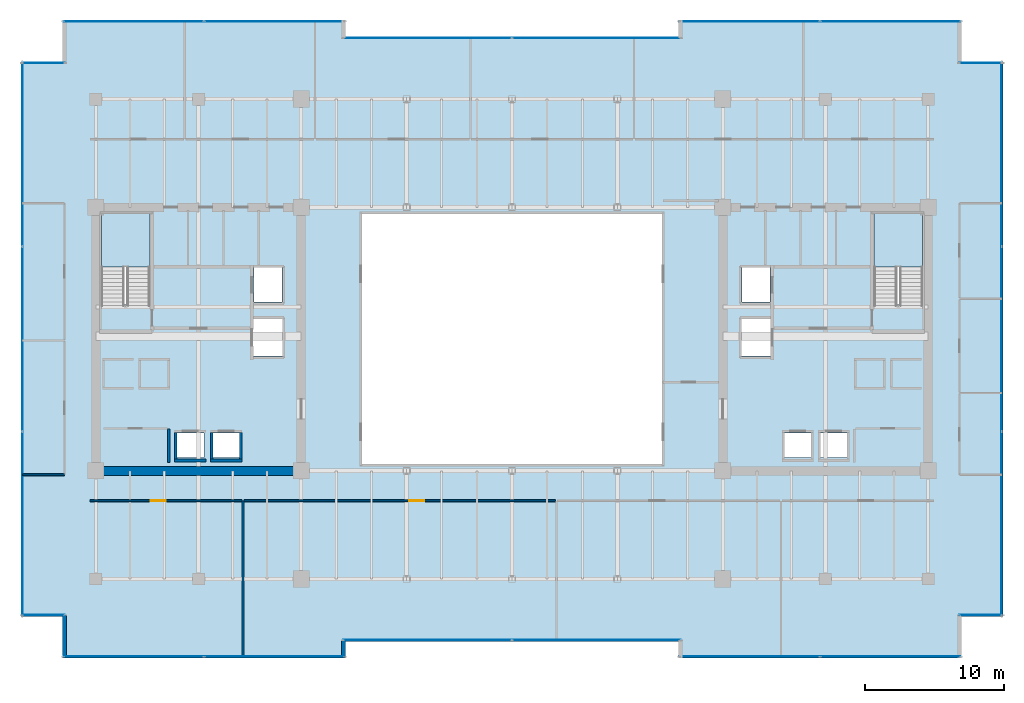
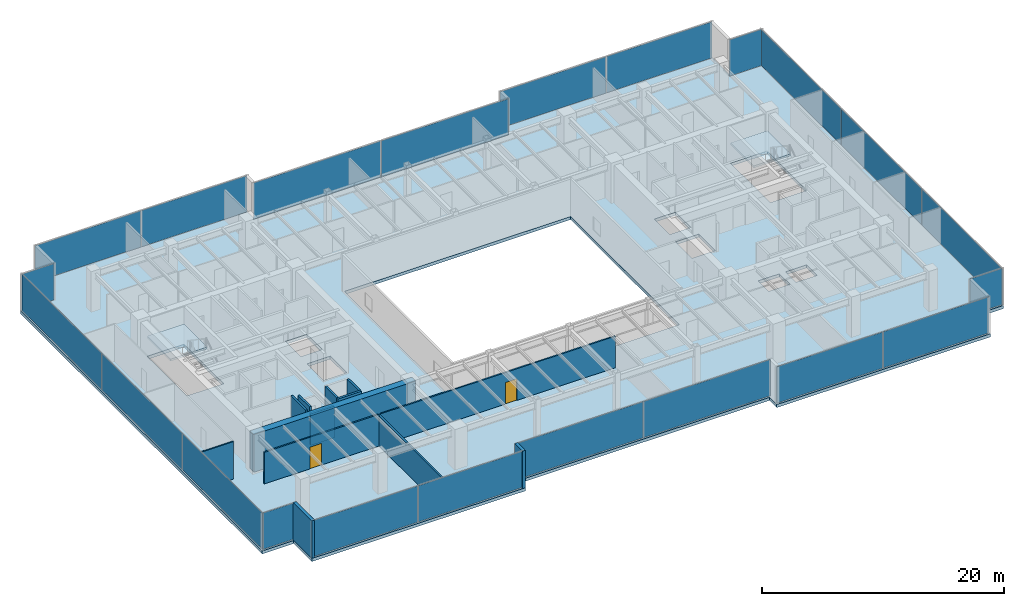
# One storey, part 24 of 30: 22 plates, 13 walls, 3 slabs, 2 doors, 2 openings, 14 elements without a shape of their own.
"""IFC4 building model written with IfcOpenShell, lengths in metres."""

from ifc_helpers import new_model, si_unit, direction, frame, frame_2d, origin, origin_2d, place, context, subcontext, project, spatial, polyline, rectangle, outline, extrude, source, transform, mapped, material, layer, layer_set, type_object, type_shapes, element, fill, aggregate, save


model = new_model("IFC4")

# Units and contexts
model_context = context("Model", 3, precision=1e-05, world=origin(), true_north=direction((0.0, 1.0)))
body_context = subcontext(model_context, "Body", "Model", "MODEL_VIEW")
ifc_project = project(units=[si_unit("LENGTHUNIT", "METRE"), si_unit("AREAUNIT", "SQUARE_METRE"), si_unit("VOLUMEUNIT", "CUBIC_METRE"), si_unit("PLANEANGLEUNIT", "RADIAN"), si_unit("MASSUNIT", "GRAM", prefix="KILO")], contexts=[model_context])

# Site, building, storey
site_placement = place(None, origin())
site = spatial("IfcSite", under=ifc_project, at=site_placement, CompositionType="ELEMENT")
building_placement = place(site_placement, origin())
building = spatial("IfcBuilding", under=site, at=building_placement, Name="Haelvirn Gate Laboratories", CompositionType="ELEMENT")
storey_placement = place(building_placement, frame((0.0, 0.0, 170.699951171875)))
storey = spatial("IfcBuildingStorey", under=building, at=storey_placement, Name="L41", CompositionType="ELEMENT", Elevation=170.699951171875)

# Stair, slab
ifc_material_1 = material(Name="Concrete C40/50", Category="concrete")
stair_type = type_object("IfcStairType", Name="ST-DOG-1650-R22", PredefinedType="HALF_TURN_STAIR", material=ifc_material_1)
stair_1_placement = place(storey_placement, origin())
stair_1 = element("IfcStair", 1, at=stair_1_placement, inside=storey, type_object=stair_type, Name="L41 Escape Stair ST1", PredefinedType="HALF_TURN_STAIR")
ifc_layer_1 = layer(ifc_material_1, 0.199951171875, Name="SL-STAIR-LND")
ifc_layer_set_1 = layer_set([ifc_layer_1], Name="Concrete C40/50")
slab_type_1 = type_object("IfcSlabType", Name="SL-STAIR-LND", PredefinedType="LANDING", material=ifc_layer_set_1)
slab_1_placement = place(storey_placement, frame((0.0, 0.0, 1.85009765625)))
slab_1 = element("IfcSlab", 2, at=slab_1_placement, type_object=slab_type_1, Name="ST1 landing 1", PredefinedType="LANDING", context=body_context, shape_type="SweptSolid", body=[
    extrude(outline(polyline([(11.300048828125, 29.5), (11.300048828125, 33.35009765625), (7.800048828125, 33.35009765625), (7.800048828125, 29.5), (11.300048828125, 29.5)])), origin(), (0.0, 0.0, 1.0), 0.199951171875),
])
aggregate(stair_1, [slab_1])

stair_2_placement = place(storey_placement, origin())
stair_2 = element("IfcStair", 3, at=stair_2_placement, inside=storey, type_object=stair_type, Name="L41 Escape Stair ST2", PredefinedType="HALF_TURN_STAIR")
slab_2_placement = place(storey_placement, frame((0.0, 0.0, 1.85009765625)))
slab_2 = element("IfcSlab", 4, at=slab_2_placement, type_object=slab_type_1, Name="ST2 landing 1", PredefinedType="LANDING", context=body_context, shape_type="SweptSolid", body=[
    extrude(outline(polyline([(67.0, 29.5), (67.0, 33.35009765625), (63.5, 33.35009765625), (63.5, 29.5), (67.0, 29.5)])), origin(), (0.0, 0.0, 1.0), 0.199951171875),
])
aggregate(stair_2, [slab_2])

# Slab
ifc_layer_2 = layer(ifc_material_1, 0.31005859375, Name="SL-Z2-310")
ifc_layer_set_2 = layer_set([ifc_layer_2], Name="Concrete C40/50")
slab_type_2 = type_object("IfcSlabType", Name="SL-Z2-310", PredefinedType="FLOOR", material=ifc_layer_set_2)
slab_3_placement = place(storey_placement, frame((0.0, 0.0, -0.31005859375)))
element("IfcSlab", 5, at=slab_3_placement, inside=storey, type_object=slab_type_2, Name="L41 Structural Slab MAIN", PredefinedType="FLOOR", context=body_context, shape_type="SweptSolid", body=[
    extrude(outline(polyline([(5.0, 1.300048828125), (25.39990234375, 1.300048828125), (25.39990234375, 2.5), (49.39990234375, 2.5), (49.39990234375, 1.300048828125), (69.800048828125, 1.300048828125), (69.800048828125, 4.300048828125), (72.800048828125, 4.300048828125), (72.800048828125, 44.300048828125), (69.800048828125, 44.300048828125), (69.800048828125, 47.300048828125), (49.39990234375, 47.300048828125), (49.39990234375, 46.10009765625), (25.39990234375, 46.10009765625), (25.39990234375, 47.300048828125), (5.0, 47.300048828125), (5.0, 44.300048828125), (2.0, 44.300048828125), (2.0, 4.300048828125), (5.0, 4.300048828125), (5.0, 1.300048828125)]), holes=[polyline([(26.60009765625, 15.300048828125), (48.199951171875, 15.300048828125), (48.199951171875, 33.300048828125), (26.60009765625, 33.300048828125), (26.60009765625, 15.300048828125)]), polyline([(11.300048828125, 26.780029296875), (11.300048828125, 33.35009765625), (7.800048828125, 33.35009765625), (7.800048828125, 26.780029296875), (11.300048828125, 26.780029296875)]), polyline([(67.0, 26.780029296875), (67.0, 33.35009765625), (63.5, 33.35009765625), (63.5, 26.780029296875), (67.0, 26.780029296875)]), polyline([(13.18994140625, 15.77001953125), (15.2099609375, 15.77001953125), (15.2099609375, 17.510009765625), (13.18994140625, 17.510009765625), (13.18994140625, 15.77001953125)]), polyline([(15.7900390625, 15.77001953125), (17.81005859375, 15.77001953125), (17.81005859375, 17.510009765625), (15.7900390625, 17.510009765625), (15.7900390625, 15.77001953125)]), polyline([(18.7900390625, 26.969970703125), (20.81005859375, 26.969970703125), (20.81005859375, 29.510009765625), (18.7900390625, 29.510009765625), (18.7900390625, 26.969970703125)]), polyline([(18.68994140625, 23.070068359375), (20.909912109375, 23.070068359375), (20.909912109375, 25.81005859375), (18.68994140625, 25.81005859375), (18.68994140625, 23.070068359375)]), polyline([(59.590087890625, 15.77001953125), (61.610107421875, 15.77001953125), (61.610107421875, 17.510009765625), (59.590087890625, 17.510009765625), (59.590087890625, 15.77001953125)]), polyline([(56.989990234375, 15.77001953125), (59.010009765625, 15.77001953125), (59.010009765625, 17.510009765625), (56.989990234375, 17.510009765625), (56.989990234375, 15.77001953125)]), polyline([(53.989990234375, 26.969970703125), (56.010009765625, 26.969970703125), (56.010009765625, 29.510009765625), (53.989990234375, 29.510009765625), (53.989990234375, 26.969970703125)]), polyline([(53.889892578125, 23.070068359375), (56.110107421875, 23.070068359375), (56.110107421875, 25.81005859375), (53.889892578125, 25.81005859375), (53.889892578125, 23.070068359375)])]), origin(), (0.0, 0.0, 1.0), 0.31005859375),
])

# Curtain wall, plates
ifc_material_2 = material(Name="Anodised bronze unitised aluminium & triple low-E glass", Category="aluminium")
ifc_layer_3 = layer(ifc_material_2, 0.179931640625, Name="CW-SYS-3")
ifc_layer_set_3 = layer_set([ifc_layer_3], Name="Anodised bronze unitised aluminium & triple low-E glass")
curtain_wall_type_1 = type_object("IfcCurtainWallType", Name="CW-SYS-3", PredefinedType="NOTDEFINED", material=ifc_layer_set_3)
curtain_wall_1_placement = place(storey_placement, origin())
curtain_wall_1 = element("IfcCurtainWall", 6, at=curtain_wall_1_placement, inside=storey, type_object=curtain_wall_type_1, Name="L41 Unitised Curtain Wall CW-L41-P0-E00-1", PredefinedType="NOTDEFINED")
ifc_material_3 = material(Name="High-selectivity bronze triple IGU 40 mm", Category="glass")
ifc_layer_4 = layer(ifc_material_3, 0.0400390625, Name="CWP-IGU-40")
ifc_layer_set_4 = layer_set([ifc_layer_4], Name="High-selectivity bronze triple IGU 40 mm")
plate_type_1 = type_object("IfcPlateType", Name="CWP-IGU-40", PredefinedType="CURTAIN_PANEL", material=ifc_layer_set_4)
shared_shape_1 = source(origin(), body_context, "Body", "SweptSolid", [
    extrude(rectangle(XDim=10.08740234375, YDim=0.0400390625, at=origin_2d()), origin(), (0.0, 0.0, 1.0), 3.659912109375),
])
plate_1_placement = place(storey_placement, frame((10.11865234375, 1.39990234375, 0.06494140625), z_axis=(0.0, 0.0, 1.0), x_axis=(1.0, 0.0, 0.0)))
plate_1 = element("IfcPlate", 7, at=plate_1_placement, type_object=plate_type_1, Name="CW3 panel 1.1", PredefinedType="CURTAIN_PANEL", context=body_context, shape_type="MappedRepresentation", body=[
    mapped(shared_shape_1, transform((0.0, 0.0, 0.0), scale=1.0)),
])
plate_2_placement = place(storey_placement, frame((20.28125, 1.39990234375, 0.06494140625), z_axis=(0.0, 0.0, 1.0), x_axis=(1.0, 0.0, 0.0)))
plate_2 = element("IfcPlate", 8, at=plate_2_placement, type_object=plate_type_1, Name="CW3 panel 2.1", PredefinedType="CURTAIN_PANEL", context=body_context, shape_type="MappedRepresentation", body=[
    mapped(shared_shape_1, transform((0.0, 0.0, 0.0), scale=1.0)),
])
aggregate(curtain_wall_1, [plate_1, plate_2])

curtain_wall_2_placement = place(storey_placement, origin())
curtain_wall_2 = element("IfcCurtainWall", 9, at=curtain_wall_2_placement, inside=storey, type_object=curtain_wall_type_1, Name="L41 Unitised Curtain Wall CW-L41-P0-E04-1", PredefinedType="NOTDEFINED")
plate_3_placement = place(storey_placement, frame((54.518798828125, 1.39990234375, 0.06494140625), z_axis=(0.0, 0.0, 1.0), x_axis=(1.0, 0.0, 0.0)))
plate_3 = element("IfcPlate", 10, at=plate_3_placement, type_object=plate_type_1, Name="CW3 panel 1.1", PredefinedType="CURTAIN_PANEL", context=body_context, shape_type="MappedRepresentation", body=[
    mapped(shared_shape_1, transform((0.0, 0.0, 0.0), scale=1.0)),
])
plate_4_placement = place(storey_placement, frame((64.68115234375, 1.39990234375, 0.06494140625), z_axis=(0.0, 0.0, 1.0), x_axis=(1.0, 0.0, 0.0)))
plate_4 = element("IfcPlate", 11, at=plate_4_placement, type_object=plate_type_1, Name="CW3 panel 2.1", PredefinedType="CURTAIN_PANEL", context=body_context, shape_type="MappedRepresentation", body=[
    mapped(shared_shape_1, transform((0.0, 0.0, 0.0), scale=1.0)),
])
aggregate(curtain_wall_2, [plate_3, plate_4])

curtain_wall_3_placement = place(storey_placement, origin())
curtain_wall_3 = element("IfcCurtainWall", 12, at=curtain_wall_3_placement, inside=storey, type_object=curtain_wall_type_1, Name="L41 Unitised Curtain Wall CW-L41-P0-E10-1", PredefinedType="NOTDEFINED")
plate_5_placement = place(storey_placement, frame((54.518798828125, 47.199951171875, 0.06494140625), z_axis=(0.0, 0.0, 1.0), x_axis=(1.0, 0.0, 0.0)))
plate_5 = element("IfcPlate", 13, at=plate_5_placement, type_object=plate_type_1, Name="CW3 panel 1.1", PredefinedType="CURTAIN_PANEL", context=body_context, shape_type="MappedRepresentation", body=[
    mapped(shared_shape_1, transform((0.0, 0.0, 0.0), scale=1.0)),
])
plate_6_placement = place(storey_placement, frame((64.68115234375, 47.199951171875, 0.06494140625), z_axis=(0.0, 0.0, 1.0), x_axis=(1.0, 0.0, 0.0)))
plate_6 = element("IfcPlate", 14, at=plate_6_placement, type_object=plate_type_1, Name="CW3 panel 2.1", PredefinedType="CURTAIN_PANEL", context=body_context, shape_type="MappedRepresentation", body=[
    mapped(shared_shape_1, transform((0.0, 0.0, 0.0), scale=1.0)),
])
aggregate(curtain_wall_3, [plate_5, plate_6])

curtain_wall_4_placement = place(storey_placement, origin())
curtain_wall_4 = element("IfcCurtainWall", 15, at=curtain_wall_4_placement, inside=storey, type_object=curtain_wall_type_1, Name="L41 Unitised Curtain Wall CW-L41-P0-E14-1", PredefinedType="NOTDEFINED")
plate_7_placement = place(storey_placement, frame((10.11865234375, 47.199951171875, 0.06494140625), z_axis=(0.0, 0.0, 1.0), x_axis=(1.0, 0.0, 0.0)))
plate_7 = element("IfcPlate", 16, at=plate_7_placement, type_object=plate_type_1, Name="CW3 panel 1.1", PredefinedType="CURTAIN_PANEL", context=body_context, shape_type="MappedRepresentation", body=[
    mapped(shared_shape_1, transform((0.0, 0.0, 0.0), scale=1.0)),
])
plate_8_placement = place(storey_placement, frame((20.28125, 47.199951171875, 0.06494140625), z_axis=(0.0, 0.0, 1.0), x_axis=(1.0, 0.0, 0.0)))
plate_8 = element("IfcPlate", 17, at=plate_8_placement, type_object=plate_type_1, Name="CW3 panel 2.1", PredefinedType="CURTAIN_PANEL", context=body_context, shape_type="MappedRepresentation", body=[
    mapped(shared_shape_1, transform((0.0, 0.0, 0.0), scale=1.0)),
])
aggregate(curtain_wall_4, [plate_7, plate_8])

curtain_wall_5_placement = place(storey_placement, origin())
curtain_wall_5 = element("IfcCurtainWall", 18, at=curtain_wall_5_placement, inside=storey, type_object=curtain_wall_type_1, Name="L41 Unitised Curtain Wall CW-L41-P0-E02-1", PredefinedType="NOTDEFINED")
shared_shape_2 = source(origin(), body_context, "Body", "SweptSolid", [
    extrude(rectangle(XDim=12.12744140625, YDim=0.0400390625, at=origin_2d()), origin(), (0.0, 0.0, 1.0), 3.659912109375),
])
plate_9_placement = place(storey_placement, frame((31.298828125, 2.60009765625, 0.06494140625), z_axis=(0.0, 0.0, 1.0), x_axis=(1.0, 0.0, 0.0)))
plate_9 = element("IfcPlate", 19, at=plate_9_placement, type_object=plate_type_1, Name="CW3 panel 1.1", PredefinedType="CURTAIN_PANEL", context=body_context, shape_type="MappedRepresentation", body=[
    mapped(shared_shape_2, transform((0.0, 0.0, 0.0), scale=1.0)),
])
plate_10_placement = place(storey_placement, frame((43.501220703125, 2.60009765625, 0.06494140625), z_axis=(0.0, 0.0, 1.0), x_axis=(1.0, 0.0, 0.0)))
plate_10 = element("IfcPlate", 20, at=plate_10_placement, type_object=plate_type_1, Name="CW3 panel 2.1", PredefinedType="CURTAIN_PANEL", context=body_context, shape_type="MappedRepresentation", body=[
    mapped(shared_shape_2, transform((0.0, 0.0, 0.0), scale=1.0)),
])
aggregate(curtain_wall_5, [plate_9, plate_10])

curtain_wall_6_placement = place(storey_placement, origin())
curtain_wall_6 = element("IfcCurtainWall", 21, at=curtain_wall_6_placement, inside=storey, type_object=curtain_wall_type_1, Name="L41 Unitised Curtain Wall CW-L41-P0-E12-1", PredefinedType="NOTDEFINED")
plate_11_placement = place(storey_placement, frame((31.298828125, 46.0, 0.06494140625), z_axis=(0.0, 0.0, 1.0), x_axis=(1.0, 0.0, 0.0)))
plate_11 = element("IfcPlate", 22, at=plate_11_placement, type_object=plate_type_1, Name="CW3 panel 1.1", PredefinedType="CURTAIN_PANEL", context=body_context, shape_type="MappedRepresentation", body=[
    mapped(shared_shape_2, transform((0.0, 0.0, 0.0), scale=1.0)),
])
plate_12_placement = place(storey_placement, frame((43.501220703125, 46.0, 0.06494140625), z_axis=(0.0, 0.0, 1.0), x_axis=(1.0, 0.0, 0.0)))
plate_12 = element("IfcPlate", 23, at=plate_12_placement, type_object=plate_type_1, Name="CW3 panel 2.1", PredefinedType="CURTAIN_PANEL", context=body_context, shape_type="MappedRepresentation", body=[
    mapped(shared_shape_2, transform((0.0, 0.0, 0.0), scale=1.0)),
])
aggregate(curtain_wall_6, [plate_11, plate_12])

# Curtain wall, plate
ifc_layer_5 = layer(ifc_material_2, 0.181884765625, Name="CW-SYS-5")
ifc_layer_set_5 = layer_set([ifc_layer_5], Name="Anodised bronze unitised aluminium & triple low-E glass")
curtain_wall_type_2 = type_object("IfcCurtainWallType", Name="CW-SYS-5", PredefinedType="NOTDEFINED", material=ifc_layer_set_5)
curtain_wall_7_placement = place(storey_placement, origin())
curtain_wall_7 = element("IfcCurtainWall", 24, at=curtain_wall_7_placement, inside=storey, type_object=curtain_wall_type_2, Name="L41 Unitised Curtain Wall CW-L41-P0-E06-1", PredefinedType="NOTDEFINED")
ifc_material_4 = material(Name="Clear low-iron notched-corner triple IGU 42 mm", Category="glass")
ifc_layer_6 = layer(ifc_material_4, 0.0419921875, Name="CWP-NTC-42")
ifc_layer_set_6 = layer_set([ifc_layer_6], Name="Clear low-iron notched-corner triple IGU 42 mm")
plate_type_2 = type_object("IfcPlateType", Name="CWP-NTC-42", PredefinedType="CURTAIN_PANEL", material=ifc_layer_set_6)
shared_shape_3 = source(origin(), body_context, "Body", "SweptSolid", [
    extrude(rectangle(XDim=3.080078125, YDim=0.0419921875, at=origin_2d()), origin(), (0.0, 0.0, 1.0), 3.659912109375),
])
type_shapes(plate_type_2, [shared_shape_3])
plate_13_placement = place(storey_placement, frame((71.179931640625, 4.39990234375, 0.06494140625), z_axis=(0.0, 0.0, 1.0), x_axis=(1.0, 0.0, 0.0)))
plate_13 = element("IfcPlate", 25, at=plate_13_placement, type_object=plate_type_2, Name="CW5 panel 1.1", PredefinedType="CURTAIN_PANEL", context=body_context, shape_type="MappedRepresentation", body=[
    mapped(shared_shape_3, transform((0.0, 0.0, 0.0), scale=1.0)),
])
aggregate(curtain_wall_7, [plate_13])

curtain_wall_8_placement = place(storey_placement, origin())
curtain_wall_8 = element("IfcCurtainWall", 26, at=curtain_wall_8_placement, inside=storey, type_object=curtain_wall_type_2, Name="L41 Unitised Curtain Wall CW-L41-P0-E08-1", PredefinedType="NOTDEFINED")
plate_14_placement = place(storey_placement, frame((71.179931640625, 44.199951171875, 0.06494140625), z_axis=(0.0, 0.0, 1.0), x_axis=(1.0, 0.0, 0.0)))
plate_14 = element("IfcPlate", 27, at=plate_14_placement, type_object=plate_type_2, Name="CW5 panel 1.1", PredefinedType="CURTAIN_PANEL", context=body_context, shape_type="MappedRepresentation", body=[
    mapped(shared_shape_3, transform((0.0, 0.0, 0.0), scale=1.0)),
])
aggregate(curtain_wall_8, [plate_14])

curtain_wall_9_placement = place(storey_placement, origin())
curtain_wall_9 = element("IfcCurtainWall", 28, at=curtain_wall_9_placement, inside=storey, type_object=curtain_wall_type_2, Name="L41 Unitised Curtain Wall CW-L41-P0-E16-1", PredefinedType="NOTDEFINED")
plate_15_placement = place(storey_placement, frame((3.6201171875, 44.199951171875, 0.06494140625), z_axis=(0.0, 0.0, 1.0), x_axis=(1.0, 0.0, 0.0)))
plate_15 = element("IfcPlate", 29, at=plate_15_placement, type_object=plate_type_2, Name="CW5 panel 1.1", PredefinedType="CURTAIN_PANEL", context=body_context, shape_type="MappedRepresentation", body=[
    mapped(shared_shape_3, transform((0.0, 0.0, 0.0), scale=1.0)),
])
aggregate(curtain_wall_9, [plate_15])

curtain_wall_10_placement = place(storey_placement, origin())
curtain_wall_10 = element("IfcCurtainWall", 30, at=curtain_wall_10_placement, inside=storey, type_object=curtain_wall_type_2, Name="L41 Unitised Curtain Wall CW-L41-P0-E18-1", PredefinedType="NOTDEFINED")
plate_16_placement = place(storey_placement, frame((3.6201171875, 4.39990234375, 0.06494140625), z_axis=(0.0, 0.0, 1.0), x_axis=(1.0, 0.0, 0.0)))
plate_16 = element("IfcPlate", 31, at=plate_16_placement, type_object=plate_type_2, Name="CW5 panel 1.1", PredefinedType="CURTAIN_PANEL", context=body_context, shape_type="MappedRepresentation", body=[
    mapped(shared_shape_3, transform((0.0, 0.0, 0.0), scale=1.0)),
])
aggregate(curtain_wall_10, [plate_16])

# Curtain wall, plates
curtain_wall_11_placement = place(storey_placement, origin())
curtain_wall_11 = element("IfcCurtainWall", 32, at=curtain_wall_11_placement, inside=storey, type_object=curtain_wall_type_1, Name="L41 Unitised Curtain Wall CW-L41-P0-E07", PredefinedType="NOTDEFINED")
shared_shape_4 = source(origin(), body_context, "Body", "SweptSolid", [
    extrude(rectangle(XDim=13.220947265625, YDim=0.0400390625, at=origin_2d()), origin(), (0.0, 0.0, 1.0), 3.659912109375),
])
plate_17_placement = place(storey_placement, frame((72.699951171875, 10.9853515625, 0.06494140625), z_axis=(0.0, 0.0, 1.0), x_axis=(0.0, 1.0, 0.0)))
plate_17 = element("IfcPlate", 33, at=plate_17_placement, type_object=plate_type_1, Name="CW3 panel 1.1", PredefinedType="CURTAIN_PANEL", context=body_context, shape_type="MappedRepresentation", body=[
    mapped(shared_shape_4, transform((0.0, 0.0, 0.0), scale=1.0)),
])
plate_18_placement = place(storey_placement, frame((72.699951171875, 37.614501953125, 0.06494140625), z_axis=(0.0, 0.0, 1.0), x_axis=(0.0, 1.0, 0.0)))
plate_18 = element("IfcPlate", 34, at=plate_18_placement, type_object=plate_type_1, Name="CW3 panel 3.1", PredefinedType="CURTAIN_PANEL", context=body_context, shape_type="MappedRepresentation", body=[
    mapped(shared_shape_4, transform((0.0, 0.0, 0.0), scale=1.0)),
])

curtain_wall_12_placement = place(storey_placement, origin())
curtain_wall_12 = element("IfcCurtainWall", 35, at=curtain_wall_12_placement, inside=storey, type_object=curtain_wall_type_1, Name="L41 Unitised Curtain Wall CW-L41-P0-E17", PredefinedType="NOTDEFINED")
plate_19_placement = place(storey_placement, frame((2.10009765625, 37.614501953125, 0.06494140625), z_axis=(0.0, 0.0, 1.0), x_axis=(0.0, -1.0, 0.0)))
plate_19 = element("IfcPlate", 36, at=plate_19_placement, type_object=plate_type_1, Name="CW3 panel 1.1", PredefinedType="CURTAIN_PANEL", context=body_context, shape_type="MappedRepresentation", body=[
    mapped(shared_shape_4, transform((0.0, 0.0, 0.0), scale=1.0)),
])
plate_20_placement = place(storey_placement, frame((2.10009765625, 10.9853515625, 0.06494140625), z_axis=(0.0, 0.0, 1.0), x_axis=(0.0, -1.0, 0.0)))
plate_20 = element("IfcPlate", 37, at=plate_20_placement, type_object=plate_type_1, Name="CW3 panel 3.1", PredefinedType="CURTAIN_PANEL", context=body_context, shape_type="MappedRepresentation", body=[
    mapped(shared_shape_4, transform((0.0, 0.0, 0.0), scale=1.0)),
])

# Plate
shared_shape_5 = source(origin(), body_context, "Body", "SweptSolid", [
    extrude(rectangle(XDim=13.25830078125, YDim=0.0400390625, at=origin_2d()), origin(), (0.0, 0.0, 1.0), 3.659912109375),
])
type_shapes(plate_type_1, [shared_shape_1, shared_shape_2, shared_shape_4, shared_shape_5])
plate_21_placement = place(storey_placement, frame((72.699951171875, 24.300048828125, 0.06494140625), z_axis=(0.0, 0.0, 1.0), x_axis=(0.0, 1.0, 0.0)))
plate_21 = element("IfcPlate", 38, at=plate_21_placement, type_object=plate_type_1, Name="CW3 panel 2.1", PredefinedType="CURTAIN_PANEL", context=body_context, shape_type="MappedRepresentation", body=[
    mapped(shared_shape_5, transform((0.0, 0.0, 0.0), scale=1.0)),
])

aggregate(curtain_wall_11, [plate_17, plate_21, plate_18])

plate_22_placement = place(storey_placement, frame((2.10009765625, 24.300048828125, 0.06494140625), z_axis=(0.0, 0.0, 1.0), x_axis=(0.0, -1.0, 0.0)))
plate_22 = element("IfcPlate", 39, at=plate_22_placement, type_object=plate_type_1, Name="CW3 panel 2.1", PredefinedType="CURTAIN_PANEL", context=body_context, shape_type="MappedRepresentation", body=[
    mapped(shared_shape_5, transform((0.0, 0.0, 0.0), scale=1.0)),
])

aggregate(curtain_wall_12, [plate_19, plate_22, plate_20])

# Walls
ifc_material_5 = material(Name="Thermally-broken bronze aluminium rainscreen & mineral wool", Category="aluminium")
ifc_layer_7 = layer(ifc_material_5, 0.280029296875, Name="EW-TERR-280")
ifc_layer_set_7 = layer_set([ifc_layer_7], Name="Thermally-broken bronze aluminium rainscreen & mineral wool")
wall_type_1 = type_object("IfcWallType", Name="EW-TERR-280", PredefinedType="STANDARD", material=ifc_layer_set_7)
wall_1_placement = place(storey_placement, frame((25.260009765625, 1.300048828125, 0.0), z_axis=(0.0, 0.0, 1.0), x_axis=(0.0, 1.0, 0.0)))
element("IfcWall", 40, at=wall_1_placement, inside=storey, type_object=wall_type_1, Name="L41 Atrium Recess Bronze Return Wall 01", PredefinedType="STANDARD", context=body_context, shape_type="SweptSolid", body=[
    extrude(rectangle(XDim=1.287841796875, YDim=0.280029296875, at=frame_2d((0.64404296875, 0.0))), origin(), (0.0, 0.0, 1.0), 3.7900390625),
])
wall_2_placement = place(storey_placement, frame((5.139892578125, 4.387939453125, 0.0), z_axis=(0.0, 0.0, 1.0), x_axis=(0.0, -1.0, 0.0)))
element("IfcWall", 41, at=wall_2_placement, inside=storey, type_object=wall_type_1, Name="L41 Atrium Recess Bronze Return Wall 19", PredefinedType="STANDARD", context=body_context, shape_type="SweptSolid", body=[
    extrude(rectangle(XDim=3.087890625, YDim=0.280029296875, at=frame_2d((1.5439453125, 0.0))), origin(), (0.0, 0.0, 1.0), 3.7900390625),
])
ifc_material_6 = material(Name="Double-layer acoustic gypsum laboratory partition", Category="gypsum")
ifc_layer_8 = layer(ifc_material_6, 0.159912109375, Name="IW-ACOUST-160")
ifc_layer_set_8 = layer_set([ifc_layer_8], Name="Double-layer acoustic gypsum laboratory partition")
wall_type_2 = type_object("IfcWallType", Name="IW-ACOUST-160", PredefinedType="PARTITIONING", material=ifc_layer_set_8)
wall_3_placement = place(storey_placement, frame((18.0, 1.409912109375, 0.0), z_axis=(0.0, 0.0, 1.0), x_axis=(0.0, 1.0, 0.0)))
element("IfcWall", 42, at=wall_3_placement, inside=storey, type_object=wall_type_2, Name="L41 Interior Wall IW-L41-SDIV-01", PredefinedType="PARTITIONING", context=body_context, shape_type="SweptSolid", body=[
    extrude(rectangle(XDim=11.22998046875, YDim=0.159912109375, at=frame_2d((5.614990234375, 0.0))), origin(), (0.0, 0.0, 1.0), 3.074951171875),
])
ifc_material_7 = material(Name="Lightweight acoustic gypsum board partition", Category="gypsum")
ifc_layer_9 = layer(ifc_material_7, 0.1201171875, Name="IW-PART-120")
ifc_layer_set_9 = layer_set([ifc_layer_9], Name="Lightweight acoustic gypsum board partition")
wall_type_3 = type_object("IfcWallType", Name="IW-PART-120", PredefinedType="PARTITIONING", material=ifc_layer_set_9)
wall_4_placement = place(storey_placement, frame((2.110107421875, 14.514892578125, 0.0), z_axis=(0.0, 0.0, 1.0), x_axis=(1.0, 0.0, 0.0)))
element("IfcWall", 43, at=wall_4_placement, inside=storey, type_object=wall_type_3, Name="L41 Interior Wall IW-L41-WCAP-S", PredefinedType="PARTITIONING", context=body_context, shape_type="SweptSolid", body=[
    extrude(rectangle(XDim=3.019775390625, YDim=0.1201171875, at=frame_2d((1.509765625, 0.0))), origin(), (0.0, 0.0, 1.0), 3.7900390625),
])

# Wall, opening, door
ifc_material_8 = material(Name="Acoustic mineral-wool gypsum board partition", Category="gypsum")
ifc_layer_10 = layer(ifc_material_8, 0.139892578125, Name="IW-PART-140")
ifc_layer_set_10 = layer_set([ifc_layer_10], Name="Acoustic mineral-wool gypsum board partition")
wall_type_4 = type_object("IfcWallType", Name="IW-PART-140", PredefinedType="PARTITIONING", material=ifc_layer_set_10)
wall_5_placement = place(storey_placement, frame((6.97998046875, 12.639892578125, 0.0), z_axis=(0.0, 0.0, 1.0), x_axis=(1.0, 0.0, 0.0)))
wall_5 = element("IfcWall", 44, at=wall_5_placement, inside=storey, type_object=wall_type_4, Name="L41 Interior Wall IW-L41-SCORR-01", PredefinedType="PARTITIONING", context=body_context, shape_type="SweptSolid", body=[
    extrude(rectangle(XDim=10.93994140625, YDim=0.139892578125, at=frame_2d((5.469970703125, 0.0))), origin(), (0.0, 0.0, 1.0), 3.18701171875),
])
opening_1_placement = place(wall_5_placement, frame((4.37158203125, 0.0, 0.0)))
opening_1 = element("IfcOpeningElement", 45, at=opening_1_placement, cuts=wall_5, Name="Opening D1", PredefinedType="OPENING", context=body_context, shape_type="SweptSolid", body=[
    extrude(rectangle(XDim=1.10009765625, YDim=2.179931640625, at=frame_2d((0.550048828125, 1.08984375))), frame((0.0, 0.080078125, 0.0), z_axis=(0.0, -1.0, 0.0), x_axis=(1.0, 0.0, 0.0)), (0.0, 0.0, 1.0), 0.159912109375),
])
ifc_material_9 = material(Name="Vision-panel acoustic solid-core timber lab door", Category="wood")
door_type = type_object("IfcDoorType", Name="DR-LAB-1100", OperationType="NOTDEFINED", PredefinedType="DOOR", material=ifc_material_9)
shared_shape_6 = source(origin(), body_context, "Body", "SweptSolid", [
    extrude(rectangle(XDim=1.10009765625, YDim=2.179931640625, at=frame_2d((0.550048828125, 1.08984375))), frame((0.0, 0.02490234375, 0.0), z_axis=(0.0, -1.0, 0.0), x_axis=(1.0, 0.0, 0.0)), (0.0, 0.0, 1.0), 0.050048828125),
])
type_shapes(door_type, [shared_shape_6])
door_1_placement = place(opening_1_placement, origin())
door_1 = element("IfcDoor", 46, at=door_1_placement, inside=storey, type_object=door_type, Name="L41 Translational Data Office Door S1", OperationType="SINGLE_SWING_RIGHT", OverallHeight=2.179931640625, OverallWidth=1.10009765625, PredefinedType="DOOR", context=body_context, shape_type="MappedRepresentation", body=[
    mapped(shared_shape_6, transform((0.0, 0.0, 0.0), scale=1.0)),
])
fill(opening_1, door_1)

wall_6_placement = place(storey_placement, frame((18.080078125, 12.639892578125, 0.0), z_axis=(0.0, 0.0, 1.0), x_axis=(1.0, 0.0, 0.0)))
wall_6 = element("IfcWall", 47, at=wall_6_placement, inside=storey, type_object=wall_type_4, Name="L41 Interior Wall IW-L41-SCORR-02", PredefinedType="PARTITIONING", context=body_context, shape_type="SweptSolid", body=[
    extrude(rectangle(XDim=22.43994140625, YDim=0.139892578125, at=frame_2d((11.219970703125, 0.0))), origin(), (0.0, 0.0, 1.0), 3.18701171875),
])
opening_2_placement = place(wall_6_placement, frame((11.908447265625, 0.0, 0.0)))
opening_2 = element("IfcOpeningElement", 48, at=opening_2_placement, cuts=wall_6, Name="Opening D1", PredefinedType="OPENING", context=body_context, shape_type="SweptSolid", body=[
    extrude(rectangle(XDim=1.10009765625, YDim=2.179931640625, at=frame_2d((0.550048828125, 1.08984375))), frame((0.0, 0.080078125, 0.0), z_axis=(0.0, -1.0, 0.0), x_axis=(1.0, 0.0, 0.0)), (0.0, 0.0, 1.0), 0.159912109375),
])
door_2_placement = place(opening_2_placement, origin())
door_2 = element("IfcDoor", 49, at=door_2_placement, inside=storey, type_object=door_type, Name="L41 Computational Write-Up Office Door S2", OperationType="SINGLE_SWING_LEFT", OverallHeight=2.179931640625, OverallWidth=1.10009765625, PredefinedType="DOOR", context=body_context, shape_type="MappedRepresentation", body=[
    mapped(shared_shape_6, transform((0.0, 0.0, 0.0), scale=1.0)),
])
fill(opening_2, door_2)

# Walls
ifc_layer_11 = layer(ifc_material_1, 0.179931640625, Name="IW-SHAFT-180")
ifc_layer_set_11 = layer_set([ifc_layer_11], Name="Concrete C40/50")
wall_type_5 = type_object("IfcWallType", Name="IW-SHAFT-180", PredefinedType="SOLIDWALL", material=ifc_layer_set_11)
for number, where, z_axis, x_axis, name in (
    (50, (13.14990234375, 15.64990234375, 0.0), (0.0, 0.0, 1.0), (0.0, 1.0, 0.0), "L41 Interior Wall IW-L41-PL5-SD"),
    (51, (15.75, 15.64990234375, 0.0), (0.0, 0.0, 1.0), (0.0, 1.0, 0.0), "L41 Interior Wall IW-L41-PL6-SD"),
    (52, (17.85009765625, 15.64990234375, 0.0), (0.0, 0.0, 1.0), (0.0, 1.0, 0.0), "L41 Interior Wall IW-L41-PL6-SDE"),
):
    element("IfcWall", number, at=place(storey_placement, frame(where, z_axis=z_axis, x_axis=x_axis)), inside=storey, type_object=wall_type_5, Name=name, PredefinedType="SOLIDWALL", context=body_context, shape_type="SweptSolid", body=[
        extrude(rectangle(XDim=1.900146484375, YDim=0.179931640625, at=frame_2d((0.9501953125, 0.0))), origin(), (0.0, 0.0, 1.0), 3.7900390625),
    ])
wall_7_placement = place(storey_placement, frame((12.639892578125, 15.39990234375, 0.0), z_axis=(0.0, 0.0, 1.0), x_axis=(0.0, 1.0, 0.0)))
element("IfcWall", 53, at=wall_7_placement, inside=storey, type_object=wall_type_5, Name="L41 Interior Wall IW-L41-W-FREED-LE-1", PredefinedType="SOLIDWALL", context=body_context, shape_type="SweptSolid", body=[
    extrude(rectangle(XDim=2.400146484375, YDim=0.179931640625, at=frame_2d((1.2001953125, 0.0))), origin(), (0.0, 0.0, 1.0), 3.7900390625),
])
ifc_layer_12 = layer(ifc_material_1, 0.199951171875, Name="IW-SHAFT-200")
ifc_layer_set_12 = layer_set([ifc_layer_12], Name="Concrete C40/50")
wall_type_6 = type_object("IfcWallType", Name="IW-SHAFT-200", PredefinedType="SOLIDWALL", material=ifc_layer_set_12)
wall_8_placement = place(storey_placement, frame((13.070068359375, 15.550048828125, 0.0), z_axis=(0.0, 0.0, 1.0), x_axis=(1.0, 0.0, 0.0)))
element("IfcWall", 54, at=wall_8_placement, inside=storey, type_object=wall_type_6, Name="L41 Interior Wall IW-L41-PL5-BK", PredefinedType="SOLIDWALL", context=body_context, shape_type="SweptSolid", body=[
    extrude(rectangle(XDim=2.260009765625, YDim=0.199951171875, at=frame_2d((1.1298828125, 0.0))), origin(), (0.0, 0.0, 1.0), 3.18701171875),
])
wall_9_placement = place(storey_placement, frame((15.669921875, 15.550048828125, 0.0), z_axis=(0.0, 0.0, 1.0), x_axis=(1.0, 0.0, 0.0)))
element("IfcWall", 55, at=wall_9_placement, inside=storey, type_object=wall_type_6, Name="L41 Interior Wall IW-L41-PL6-BK", PredefinedType="SOLIDWALL", context=body_context, shape_type="SweptSolid", body=[
    extrude(rectangle(XDim=2.260009765625, YDim=0.199951171875, at=frame_2d((1.1298828125, 0.0))), origin(), (0.0, 0.0, 1.0), 3.7900390625),
])
ifc_material_10 = material(Name="Concrete C60/75", Category="concrete")
ifc_layer_13 = layer(ifc_material_10, 0.64990234375, Name="SW-CORE-650")
ifc_layer_set_13 = layer_set([ifc_layer_13], Name="Concrete C60/75")
wall_type_7 = type_object("IfcWallType", Name="SW-CORE-650", PredefinedType="SHEAR", material=ifc_layer_set_13)
wall_10_placement = place(storey_placement, frame((7.074951171875, 14.800048828125, 0.0), z_axis=(0.0, 0.0, 1.0), x_axis=(1.0, 0.0, 0.0)))
element("IfcWall", 56, at=wall_10_placement, inside=storey, type_object=wall_type_7, Name="L41 W Core Shear Wall S", PredefinedType="SHEAR", context=body_context, shape_type="SweptSolid", body=[
    extrude(rectangle(XDim=15.449951171875, YDim=0.64990234375, at=frame_2d((7.72509765625, 0.0))), origin(), (0.0, 0.0, 1.0), 3.7900390625),
])

save(model, "model.ifc")
